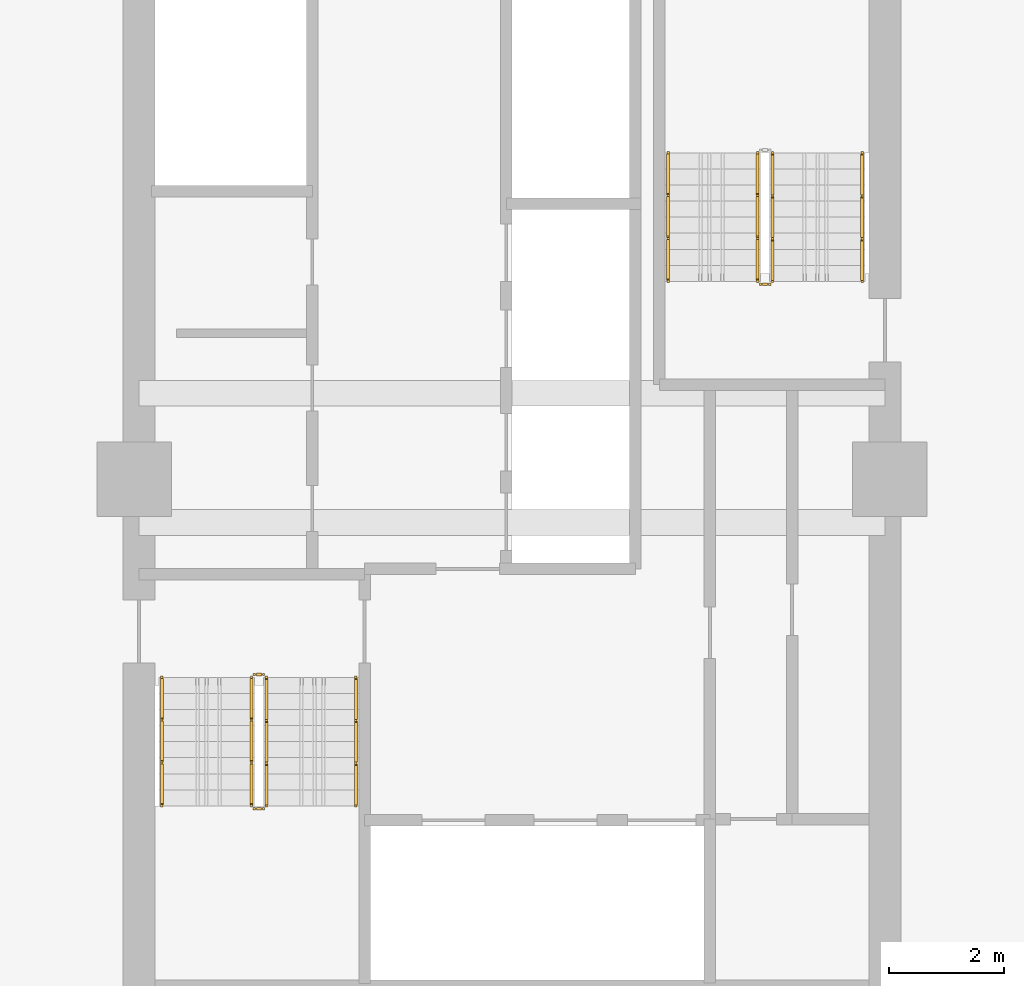
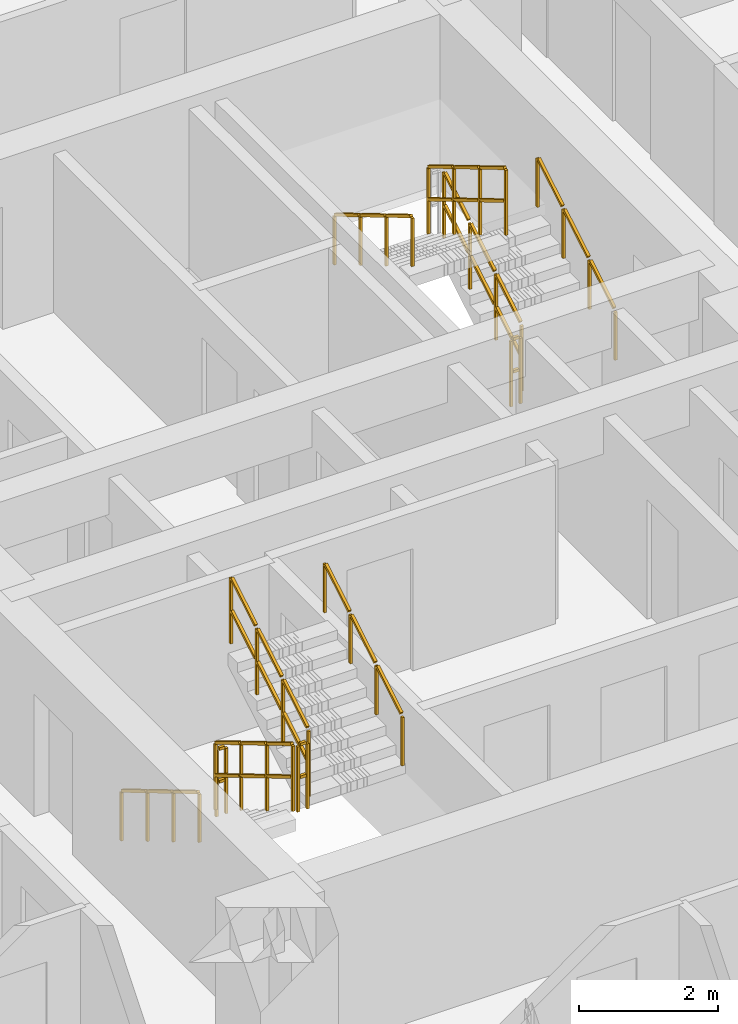
# One storey, part 22 of 24: 11 railings.
"""IFC4 building model written with IfcOpenShell, lengths in metres."""

import ifcopenshell
import ifcopenshell.guid

model = None  # the IFC model being written
_history = None  # IfcOwnerHistory: only IFC2X3 demands one
_inside = {}  # id of a spatial element -> (the spatial element, [elements in it])
_under = {}  # id of a project, library or spatial element -> (it, [spatial elements below it])
_declared = {}  # id of a project -> (the project, [libraries it declares])
_typed = {}  # id of a type object -> (the type object, [elements of that type])
_made_of = {}  # id of a material, layer set ... -> (it, [elements and type objects made of it])


def new_model(schema):
    """Start an empty IFC model of exactly this schema.

    Asked for "IFC4X3", IfcOpenShell would pick the latest addendum, in which some entities
    have other attributes; the version numbers below select the first issue.
    IFC2X3 requires an IfcOwnerHistory on every rooted entity: one is made here for all.
    """
    global model, _history
    if schema == "IFC4X3":
        model = ifcopenshell.file(schema_version=(4, 3, 0, 0))
    else:
        model = ifcopenshell.file(schema=schema)
    _inside.clear()
    _under.clear()
    _declared.clear()
    _typed.clear()
    _made_of.clear()
    _history = None
    if model.schema == "IFC2X3":
        org = make("IfcOrganization", Name="unknown")
        user = make(
            "IfcPersonAndOrganization",
            ThePerson=make("IfcPerson", FamilyName="unknown"),
            TheOrganization=org,
        )
        app = make(
            "IfcApplication",
            ApplicationDeveloper=org,
            Version="unknown",
            ApplicationFullName="unknown",
            ApplicationIdentifier="unknown",
        )
        _history = make(
            "IfcOwnerHistory",
            OwningUser=user,
            OwningApplication=app,
            ChangeAction="ADDED",
            CreationDate=0,
        )
    return model


def make(cls, **values):
    """One entity of the class cls with the attributes given. An attribute that is None is left unset."""
    return model.create_entity(
        cls, **{name: value for name, value in values.items() if value is not None}
    )


def rooted(cls, **values):
    """An entity with a GlobalId (a new one), such as an element, a storey or a relation."""
    return make(cls, GlobalId=ifcopenshell.guid.new(), OwnerHistory=_history, **values)


def si_unit(unit_type, name, prefix=None):
    """IfcSIUnit, for example si_unit("LENGTHUNIT", "METRE", prefix="MILLI")."""
    return make("IfcSIUnit", UnitType=unit_type, Prefix=prefix, Name=name)


def assignment(units):
    """IfcUnitAssignment: the units of a project."""
    return None if units is None else make("IfcUnitAssignment", Units=units)


def point(xyz):
    """IfcCartesianPoint."""
    return None if xyz is None else make("IfcCartesianPoint", Coordinates=xyz)


def direction(xyz):
    """IfcDirection."""
    return None if xyz is None else make("IfcDirection", DirectionRatios=xyz)


def frame(location, z_axis=None, x_axis=None):
    """IfcAxis2Placement3D, a coordinate frame: its origin and axes. An axis left out is left unset."""
    return make(
        "IfcAxis2Placement3D",
        Location=point(location),
        Axis=direction(z_axis),
        RefDirection=direction(x_axis),
    )


def frame_2d(location, x_axis=None):
    """IfcAxis2Placement2D, a coordinate frame in the plane: its origin and x axis."""
    return make(
        "IfcAxis2Placement2D", Location=point(location), RefDirection=direction(x_axis)
    )


def origin():
    """The frame at (0, 0, 0) with its axes left unset."""
    return frame((0.0, 0.0, 0.0))


def origin_2d():
    """The frame at (0, 0) in the plane with its x axis left unset."""
    return frame_2d((0.0, 0.0))


def place(relative_to, where):
    """IfcLocalPlacement: puts the frame where relative to a parent placement (None: the world)."""
    return make(
        "IfcLocalPlacement", PlacementRelTo=relative_to, RelativePlacement=where
    )


def context(
    kind, dimensions, precision=None, world=None, true_north=None, identifier=None
):
    """IfcGeometricRepresentationContext, for example the 3D "Model" context."""
    return make(
        "IfcGeometricRepresentationContext",
        ContextIdentifier=identifier,
        ContextType=kind,
        CoordinateSpaceDimension=dimensions,
        Precision=precision,
        WorldCoordinateSystem=world,
        TrueNorth=true_north,
    )


def subcontext(parent, identifier, kind, view, scale=None):
    """IfcGeometricRepresentationSubContext, for example "Body" below "Model"."""
    return make(
        "IfcGeometricRepresentationSubContext",
        ContextIdentifier=identifier,
        ContextType=kind,
        ParentContext=parent,
        TargetScale=scale,
        TargetView=view,
    )


def project(units=None, contexts=None):
    """IfcProject with its units and contexts."""
    return rooted(
        "IfcProject",
        Name="project",
        RepresentationContexts=contexts,
        UnitsInContext=assignment(units),
    )


def spatial(cls, under=None, at=None, **own):
    """A site, building, storey or space (cls), placed at a placement, below another one or the project."""
    s = rooted(cls, ObjectPlacement=at, **own)
    if under is not None:
        _under.setdefault(under.id(), (under, []))[1].append(s)
    return s


def profile(cls, at=None, kind="AREA", **sizes):
    """A parametric profile (cls). Its sizes go by their IFC names, for example OverallWidth=200.0."""
    return make(cls, ProfileType=kind, Position=at, **sizes)


def rectangle(**sizes):
    """IfcRectangleProfileDef."""
    return profile("IfcRectangleProfileDef", **sizes)


def extrude(swept, where, along, depth):
    """IfcExtrudedAreaSolid: the profile swept, set in the frame where, extruded along a direction by depth."""
    return make(
        "IfcExtrudedAreaSolid",
        SweptArea=swept,
        Position=where,
        ExtrudedDirection=direction(along),
        Depth=depth,
    )


def shape(context_of_items, identifier, shape_type, items):
    """IfcShapeRepresentation: the items that make up one representation, for example the "Body"."""
    return make(
        "IfcShapeRepresentation",
        ContextOfItems=context_of_items,
        RepresentationIdentifier=identifier,
        RepresentationType=shape_type,
        Items=items,
    )


def material(Name=None, Category=None):
    """IfcMaterial."""
    return make("IfcMaterial", Name=Name, Category=Category)


def made_of(thing, what):
    """Note that an element or type object is made of a material, layer set ...; save() writes the relation."""
    if what is not None:
        _made_of.setdefault(what.id(), (what, []))[1].append(thing)
    return thing


def type_object(cls, material=None, **own):
    """A type object (cls), such as IfcWallType, which elements share."""
    return made_of(rooted(cls, **own), material)


def element(
    cls,
    number,
    at=None,
    inside=None,
    cuts=None,
    type_object=None,
    material=None,
    context=None,
    identifier="Body",
    shape_type=None,
    held_by="IfcProductDefinitionShape",
    body=None,
    shapes=None,
    **own,
):
    """One element of the class cls, such as IfcWall. Its Tag is "e" and its number.

    at: its placement. inside: the storey or other place that contains it. cuts: it is an
    opening in that element (IfcRelVoidsElement). A single representation is given by context,
    identifier, shape_type and body (its items); several are given by shapes. held_by: the class
    of the entity that holds the representations. save() writes the other relations.
    """
    e = rooted(cls, Tag="e%d" % number, ObjectPlacement=at, **own)
    if body is not None:
        shapes = [shape(context, identifier, shape_type, body)]
    if shapes is not None:
        e.Representation = make(held_by, Representations=shapes)
    if inside is not None:
        _inside.setdefault(inside.id(), (inside, []))[1].append(e)
    if cuts is not None:
        rooted(
            "IfcRelVoidsElement", RelatingBuildingElement=cuts, RelatedOpeningElement=e
        )
    if type_object is not None:
        _typed.setdefault(type_object.id(), (type_object, []))[1].append(e)
    return made_of(e, material)


def aggregate(whole, parts):
    """IfcRelAggregates: a whole, such as a stair, and the parts it consists of."""
    return rooted("IfcRelAggregates", RelatingObject=whole, RelatedObjects=parts)


def save(model, path):
    """Write the relations noted so far, then the file.

    IfcRelAggregates (storeys below a building ...), IfcRelContainedInSpatialStructure (elements
    in a storey), IfcRelDefinesByType, IfcRelAssociatesMaterial and IfcRelDeclares: one each for
    every whole, place, type object, material and project.
    """
    for whole, parts in _under.values():
        aggregate(whole, parts)
    for where, things in _inside.values():
        rooted(
            "IfcRelContainedInSpatialStructure",
            RelatedElements=things,
            RelatingStructure=where,
        )
    for kind, things in _typed.values():
        rooted("IfcRelDefinesByType", RelatedObjects=things, RelatingType=kind)
    for what, things in _made_of.values():
        rooted("IfcRelAssociatesMaterial", RelatedObjects=things, RelatingMaterial=what)
    for by, libraries in _declared.values():
        rooted("IfcRelDeclares", RelatingContext=by, RelatedDefinitions=libraries)
    model.write(path)


model = new_model("IFC4")

# Units and contexts
model_context = context("Model", 3, precision=1e-05, world=origin(), true_north=direction((0.0, 1.0)))
body_context = subcontext(model_context, "Body", "Model", "MODEL_VIEW")
ifc_project = project(units=[si_unit("LENGTHUNIT", "METRE"), si_unit("AREAUNIT", "SQUARE_METRE"), si_unit("VOLUMEUNIT", "CUBIC_METRE"), si_unit("PLANEANGLEUNIT", "RADIAN"), si_unit("MASSUNIT", "GRAM", prefix="KILO")], contexts=[model_context])

# Site, building, storey
site_placement = place(None, origin())
site = spatial("IfcSite", under=ifc_project, at=site_placement, CompositionType="ELEMENT")
building_placement = place(site_placement, origin())
building = spatial("IfcBuilding", under=site, at=building_placement, Name="Saelheon Loggia Tower", CompositionType="ELEMENT")
storey_placement = place(building_placement, frame((0.0, 0.0, 126.75)))
storey = spatial("IfcBuildingStorey", under=building, at=storey_placement, Name="L40", CompositionType="ELEMENT", Elevation=126.75)

# Railings
ifc_material_1 = material(Name="Galvanised Steel S275 Stairwell Guardrail", Category="steel")
railing_type_1 = type_object("IfcRailingType", Name="Guard_StairWell_RL_STG", PredefinedType="GUARDRAIL", material=ifc_material_1)
railing_1_placement = place(storey_placement, frame((33.4599609375, 23.550048828125, 0.166748046875)))
element("IfcRailing", 1, at=railing_1_placement, inside=storey, type_object=railing_type_1, Name="L40 ST1 stair guard 1", PredefinedType="GUARDRAIL", context=body_context, shape_type="SweptSolid", body=[
    extrude(rectangle(XDim=0.048095703125, YDim=0.048095703125, at=origin_2d()), frame((0.0, -0.028564453125, 1.19287109375), z_axis=(0.0, -0.859305625298, 0.511462454469), x_axis=(1.0, 0.0, 0.0)), (0.0, 0.0, 1.0), 0.802490234375),
    extrude(rectangle(XDim=0.048095703125, YDim=0.048095703125, at=origin_2d()), frame((0.0, -0.028564453125, 0.616943359375), z_axis=(0.0, -0.859305625298, 0.511462454469), x_axis=(1.0, 0.0, 0.0)), (0.0, 0.0, 1.0), 0.802490234375),
    extrude(rectangle(XDim=0.048095703125, YDim=0.048095703125, at=origin_2d()), frame((0.0, -0.775146484375, 1.63720703125), z_axis=(0.0, -0.859305625298, 0.511462454469), x_axis=(1.0, 0.0, 0.0)), (0.0, 0.0, 1.0), 0.802490234375),
    extrude(rectangle(XDim=0.048095703125, YDim=0.048095703125, at=origin_2d()), frame((0.0, -0.775146484375, 1.061279296875), z_axis=(0.0, -0.859305625298, 0.511462454469), x_axis=(1.0, 0.0, 0.0)), (0.0, 0.0, 1.0), 0.802490234375),
    extrude(rectangle(XDim=0.048095703125, YDim=0.048095703125, at=origin_2d()), frame((0.0, -1.52197265625, 2.081787109375), z_axis=(0.0, -0.859305625298, 0.511462454469), x_axis=(1.0, 0.0, 0.0)), (0.0, 0.0, 1.0), 0.802490234375),
    extrude(rectangle(XDim=0.048095703125, YDim=0.048095703125, at=origin_2d()), frame((0.0, -1.52197265625, 1.505859375), z_axis=(0.0, -0.859305625298, 0.511462454469), x_axis=(1.0, 0.0, 0.0)), (0.0, 0.0, 1.0), 0.802490234375),
    extrude(rectangle(XDim=0.0419921875, YDim=0.0419921875, at=origin_2d()), origin(), (0.0, 0.0, 1.0), 1.14794921875),
    extrude(rectangle(XDim=0.0419921875, YDim=0.0419921875, at=origin_2d()), frame((0.0, -0.74658203125, 0.4443359375)), (0.0, 0.0, 1.0), 1.14794921875),
    extrude(rectangle(XDim=0.0419921875, YDim=0.0419921875, at=origin_2d()), frame((0.0, -1.493408203125, 0.888916015625)), (0.0, 0.0, 1.0), 1.14794921875),
    extrude(rectangle(XDim=0.0419921875, YDim=0.0419921875, at=origin_2d()), frame((0.0, -2.239990234375, 1.333251953125)), (0.0, 0.0, 1.0), 1.14794921875),
])
railing_2_placement = place(storey_placement, frame((33.510009765625, 21.260009765625, 1.5)))
element("IfcRailing", 2, at=railing_2_placement, inside=storey, type_object=railing_type_1, Name="L40 ST1 stair guard 2", PredefinedType="GUARDRAIL", context=body_context, shape_type="SweptSolid", body=[
    extrude(rectangle(XDim=0.048095703125, YDim=0.048095703125, at=origin_2d()), frame((0.033203125, 0.0, 1.17578125), z_axis=(1.0, 0.0, 0.0), x_axis=(0.0, 1.0, 0.0)), (0.0, 0.0, 1.0), 0.093505859375),
    extrude(rectangle(XDim=0.048095703125, YDim=0.048095703125, at=origin_2d()), frame((0.033203125, 0.0, 0.60009765625), z_axis=(1.0, 0.0, 0.0), x_axis=(0.0, 1.0, 0.0)), (0.0, 0.0, 1.0), 0.093505859375),
    extrude(rectangle(XDim=0.0419921875, YDim=0.0419921875, at=origin_2d()), origin(), (0.0, 0.0, 1.0), 1.14794921875),
    extrude(rectangle(XDim=0.0419921875, YDim=0.0419921875, at=origin_2d()), frame((0.159912109375, 0.0, 0.0)), (0.0, 0.0, 1.0), 1.14794921875),
])
railing_3_placement = place(storey_placement, frame((33.719970703125, 21.31005859375, 1.666748046875)))
element("IfcRailing", 3, at=railing_3_placement, inside=storey, type_object=railing_type_1, Name="L40 ST1 stair guard 3", PredefinedType="GUARDRAIL", context=body_context, shape_type="SweptSolid", body=[
    extrude(rectangle(XDim=0.048095703125, YDim=0.048095703125, at=origin_2d()), frame((0.0, 0.028564453125, 1.19287109375), z_axis=(0.0, 0.859305625298, 0.511462454469), x_axis=(-1.0, 0.0, 0.0)), (0.0, 0.0, 1.0), 0.802490234375),
    extrude(rectangle(XDim=0.048095703125, YDim=0.048095703125, at=origin_2d()), frame((0.0, 0.028564453125, 0.616943359375), z_axis=(0.0, 0.859305625298, 0.511462454469), x_axis=(-1.0, 0.0, 0.0)), (0.0, 0.0, 1.0), 0.802490234375),
    extrude(rectangle(XDim=0.048095703125, YDim=0.048095703125, at=origin_2d()), frame((0.0, 0.775146484375, 1.63720703125), z_axis=(0.0, 0.859305625298, 0.511462454469), x_axis=(-1.0, 0.0, 0.0)), (0.0, 0.0, 1.0), 0.802490234375),
    extrude(rectangle(XDim=0.048095703125, YDim=0.048095703125, at=origin_2d()), frame((0.0, 0.775146484375, 1.061279296875), z_axis=(0.0, 0.859305625298, 0.511462454469), x_axis=(-1.0, 0.0, 0.0)), (0.0, 0.0, 1.0), 0.802490234375),
    extrude(rectangle(XDim=0.048095703125, YDim=0.048095703125, at=origin_2d()), frame((0.0, 1.52197265625, 2.081787109375), z_axis=(0.0, 0.859305625298, 0.511462454469), x_axis=(-1.0, 0.0, 0.0)), (0.0, 0.0, 1.0), 0.802490234375),
    extrude(rectangle(XDim=0.048095703125, YDim=0.048095703125, at=origin_2d()), frame((0.0, 1.52197265625, 1.505859375), z_axis=(0.0, 0.859305625298, 0.511462454469), x_axis=(-1.0, 0.0, 0.0)), (0.0, 0.0, 1.0), 0.802490234375),
    extrude(rectangle(XDim=0.0419921875, YDim=0.0419921875, at=origin_2d()), origin(), (0.0, 0.0, 1.0), 1.14794921875),
    extrude(rectangle(XDim=0.0419921875, YDim=0.0419921875, at=origin_2d()), frame((0.0, 0.74658203125, 0.4443359375)), (0.0, 0.0, 1.0), 1.14794921875),
    extrude(rectangle(XDim=0.0419921875, YDim=0.0419921875, at=origin_2d()), frame((0.0, 1.493408203125, 0.888916015625)), (0.0, 0.0, 1.0), 1.14794921875),
    extrude(rectangle(XDim=0.0419921875, YDim=0.0419921875, at=origin_2d()), frame((0.0, 2.239990234375, 1.333251953125)), (0.0, 0.0, 1.0), 1.14794921875),
])
railing_4_placement = place(storey_placement, frame((33.510009765625, 23.60009765625, 0.0)))
element("IfcRailing", 4, at=railing_4_placement, inside=storey, type_object=railing_type_1, Name="L40 ST1 stair guard 4", PredefinedType="GUARDRAIL", context=body_context, shape_type="SweptSolid", body=[
    extrude(rectangle(XDim=0.048095703125, YDim=0.048095703125, at=origin_2d()), frame((0.033203125, 0.0, 1.17578125), z_axis=(1.0, 0.0, 0.0), x_axis=(0.0, 1.0, 0.0)), (0.0, 0.0, 1.0), 0.093505859375),
    extrude(rectangle(XDim=0.048095703125, YDim=0.048095703125, at=origin_2d()), frame((0.033203125, 0.0, 0.60009765625), z_axis=(1.0, 0.0, 0.0), x_axis=(0.0, 1.0, 0.0)), (0.0, 0.0, 1.0), 0.093505859375),
    extrude(rectangle(XDim=0.0419921875, YDim=0.0419921875, at=origin_2d()), origin(), (0.0, 0.0, 1.0), 1.14794921875),
    extrude(rectangle(XDim=0.0419921875, YDim=0.0419921875, at=origin_2d()), frame((0.159912109375, 0.0, 0.0)), (0.0, 0.0, 1.0), 1.14794921875),
])
railing_5_placement = place(storey_placement, frame((42.5400390625, 30.449951171875, 0.166748046875)))
element("IfcRailing", 5, at=railing_5_placement, inside=storey, type_object=railing_type_1, Name="L40 ST2 stair guard 1", PredefinedType="GUARDRAIL", context=body_context, shape_type="SweptSolid", body=[
    extrude(rectangle(XDim=0.048095703125, YDim=0.048095703125, at=origin_2d()), frame((0.0, 0.028564453125, 1.19287109375), z_axis=(0.0, 0.859305625298, 0.511462454469), x_axis=(-1.0, 0.0, 0.0)), (0.0, 0.0, 1.0), 0.802490234375),
    extrude(rectangle(XDim=0.048095703125, YDim=0.048095703125, at=origin_2d()), frame((0.0, 0.028564453125, 0.616943359375), z_axis=(0.0, 0.859305625298, 0.511462454469), x_axis=(-1.0, 0.0, 0.0)), (0.0, 0.0, 1.0), 0.802490234375),
    extrude(rectangle(XDim=0.048095703125, YDim=0.048095703125, at=origin_2d()), frame((0.0, 0.775146484375, 1.63720703125), z_axis=(0.0, 0.859305625298, 0.511462454469), x_axis=(-1.0, 0.0, 0.0)), (0.0, 0.0, 1.0), 0.802490234375),
    extrude(rectangle(XDim=0.048095703125, YDim=0.048095703125, at=origin_2d()), frame((0.0, 0.775146484375, 1.061279296875), z_axis=(0.0, 0.859305625298, 0.511462454469), x_axis=(-1.0, 0.0, 0.0)), (0.0, 0.0, 1.0), 0.802490234375),
    extrude(rectangle(XDim=0.048095703125, YDim=0.048095703125, at=origin_2d()), frame((0.0, 1.52197265625, 2.081787109375), z_axis=(0.0, 0.859305625298, 0.511462454469), x_axis=(-1.0, 0.0, 0.0)), (0.0, 0.0, 1.0), 0.802490234375),
    extrude(rectangle(XDim=0.048095703125, YDim=0.048095703125, at=origin_2d()), frame((0.0, 1.52197265625, 1.505859375), z_axis=(0.0, 0.859305625298, 0.511462454469), x_axis=(-1.0, 0.0, 0.0)), (0.0, 0.0, 1.0), 0.802490234375),
    extrude(rectangle(XDim=0.0419921875, YDim=0.0419921875, at=origin_2d()), origin(), (0.0, 0.0, 1.0), 1.14794921875),
    extrude(rectangle(XDim=0.0419921875, YDim=0.0419921875, at=origin_2d()), frame((0.0, 0.74658203125, 0.4443359375)), (0.0, 0.0, 1.0), 1.14794921875),
    extrude(rectangle(XDim=0.0419921875, YDim=0.0419921875, at=origin_2d()), frame((0.0, 1.493408203125, 0.888916015625)), (0.0, 0.0, 1.0), 1.14794921875),
    extrude(rectangle(XDim=0.0419921875, YDim=0.0419921875, at=origin_2d()), frame((0.0, 2.239990234375, 1.333251953125)), (0.0, 0.0, 1.0), 1.14794921875),
])
railing_6_placement = place(storey_placement, frame((42.280029296875, 32.68994140625, 1.666748046875)))
element("IfcRailing", 6, at=railing_6_placement, inside=storey, type_object=railing_type_1, Name="L40 ST2 stair guard 3", PredefinedType="GUARDRAIL", context=body_context, shape_type="SweptSolid", body=[
    extrude(rectangle(XDim=0.048095703125, YDim=0.048095703125, at=origin_2d()), frame((0.0, -0.028564453125, 1.19287109375), z_axis=(0.0, -0.859305625298, 0.511462454469), x_axis=(1.0, 0.0, 0.0)), (0.0, 0.0, 1.0), 0.802490234375),
    extrude(rectangle(XDim=0.048095703125, YDim=0.048095703125, at=origin_2d()), frame((0.0, -0.028564453125, 0.616943359375), z_axis=(0.0, -0.859305625298, 0.511462454469), x_axis=(1.0, 0.0, 0.0)), (0.0, 0.0, 1.0), 0.802490234375),
    extrude(rectangle(XDim=0.048095703125, YDim=0.048095703125, at=origin_2d()), frame((0.0, -0.775146484375, 1.63720703125), z_axis=(0.0, -0.859305625298, 0.511462454469), x_axis=(1.0, 0.0, 0.0)), (0.0, 0.0, 1.0), 0.802490234375),
    extrude(rectangle(XDim=0.048095703125, YDim=0.048095703125, at=origin_2d()), frame((0.0, -0.775146484375, 1.061279296875), z_axis=(0.0, -0.859305625298, 0.511462454469), x_axis=(1.0, 0.0, 0.0)), (0.0, 0.0, 1.0), 0.802490234375),
    extrude(rectangle(XDim=0.048095703125, YDim=0.048095703125, at=origin_2d()), frame((0.0, -1.52197265625, 2.081787109375), z_axis=(0.0, -0.859305625298, 0.511462454469), x_axis=(1.0, 0.0, 0.0)), (0.0, 0.0, 1.0), 0.802490234375),
    extrude(rectangle(XDim=0.048095703125, YDim=0.048095703125, at=origin_2d()), frame((0.0, -1.52197265625, 1.505859375), z_axis=(0.0, -0.859305625298, 0.511462454469), x_axis=(1.0, 0.0, 0.0)), (0.0, 0.0, 1.0), 0.802490234375),
    extrude(rectangle(XDim=0.0419921875, YDim=0.0419921875, at=origin_2d()), origin(), (0.0, 0.0, 1.0), 1.14794921875),
    extrude(rectangle(XDim=0.0419921875, YDim=0.0419921875, at=origin_2d()), frame((0.0, -0.74658203125, 0.4443359375)), (0.0, 0.0, 1.0), 1.14794921875),
    extrude(rectangle(XDim=0.0419921875, YDim=0.0419921875, at=origin_2d()), frame((0.0, -1.493408203125, 0.888916015625)), (0.0, 0.0, 1.0), 1.14794921875),
    extrude(rectangle(XDim=0.0419921875, YDim=0.0419921875, at=origin_2d()), frame((0.0, -2.239990234375, 1.333251953125)), (0.0, 0.0, 1.0), 1.14794921875),
])
railing_7_placement = place(storey_placement, frame((42.489990234375, 30.39990234375, 0.0)))
element("IfcRailing", 7, at=railing_7_placement, inside=storey, type_object=railing_type_1, Name="L40 ST2 stair guard 4", PredefinedType="GUARDRAIL", context=body_context, shape_type="SweptSolid", body=[
    extrude(rectangle(XDim=0.048095703125, YDim=0.048095703125, at=origin_2d()), frame((-0.033203125, 0.0, 1.17578125), z_axis=(-1.0, 0.0, 0.0), x_axis=(0.0, -1.0, 0.0)), (0.0, 0.0, 1.0), 0.093505859375),
    extrude(rectangle(XDim=0.048095703125, YDim=0.048095703125, at=origin_2d()), frame((-0.033203125, 0.0, 0.60009765625), z_axis=(-1.0, 0.0, 0.0), x_axis=(0.0, -1.0, 0.0)), (0.0, 0.0, 1.0), 0.093505859375),
    extrude(rectangle(XDim=0.0419921875, YDim=0.0419921875, at=origin_2d()), origin(), (0.0, 0.0, 1.0), 1.14794921875),
    extrude(rectangle(XDim=0.0419921875, YDim=0.0419921875, at=origin_2d()), frame((-0.159912109375, 0.0, 0.0)), (0.0, 0.0, 1.0), 1.14794921875),
])
ifc_material_2 = material(Name="Stainless Steel 304 Tubular Handrail", Category="steel")
railing_type_2 = type_object("IfcRailingType", Name="Handrail_Stair_RL_HR1", PredefinedType="HANDRAIL", material=ifc_material_2)
railing_8_placement = place(storey_placement, frame((31.89990234375, 23.550048828125, 0.166748046875)))
element("IfcRailing", 8, at=railing_8_placement, inside=storey, type_object=railing_type_2, Name="L40 ST1 stair handrail 1", PredefinedType="HANDRAIL", context=body_context, shape_type="SweptSolid", body=[
    extrude(rectangle(XDim=0.048095703125, YDim=0.048095703125, at=origin_2d()), frame((0.0, -0.028564453125, 0.892822265625), z_axis=(0.0, -0.859305625298, 0.511462454469), x_axis=(1.0, 0.0, 0.0)), (0.0, 0.0, 1.0), 0.802490234375),
    extrude(rectangle(XDim=0.048095703125, YDim=0.048095703125, at=origin_2d()), frame((0.0, -0.775146484375, 1.337158203125), z_axis=(0.0, -0.859305625298, 0.511462454469), x_axis=(1.0, 0.0, 0.0)), (0.0, 0.0, 1.0), 0.802490234375),
    extrude(rectangle(XDim=0.048095703125, YDim=0.048095703125, at=origin_2d()), frame((0.0, -1.52197265625, 1.78173828125), z_axis=(0.0, -0.859305625298, 0.511462454469), x_axis=(1.0, 0.0, 0.0)), (0.0, 0.0, 1.0), 0.802490234375),
    extrude(rectangle(XDim=0.0419921875, YDim=0.0419921875, at=origin_2d()), origin(), (0.0, 0.0, 1.0), 0.847900390625),
    extrude(rectangle(XDim=0.0419921875, YDim=0.0419921875, at=origin_2d()), frame((0.0, -0.74658203125, 0.4443359375)), (0.0, 0.0, 1.0), 0.847900390625),
    extrude(rectangle(XDim=0.0419921875, YDim=0.0419921875, at=origin_2d()), frame((0.0, -1.493408203125, 0.888916015625)), (0.0, 0.0, 1.0), 0.847900390625),
    extrude(rectangle(XDim=0.0419921875, YDim=0.0419921875, at=origin_2d()), frame((0.0, -2.239990234375, 1.333251953125)), (0.0, 0.0, 1.0), 0.847900390625),
])
for number, where, name in (
    (9, (35.280029296875, 21.31005859375, 1.666748046875), "L40 ST1 stair handrail 2"),
    (10, (44.10009765625, 30.449951171875, 0.166748046875), "L40 ST2 stair handrail 1"),
):
    element("IfcRailing", number, at=place(storey_placement, frame(where)), inside=storey, type_object=railing_type_2, Name=name, PredefinedType="HANDRAIL", context=body_context, shape_type="SweptSolid", body=[
        extrude(rectangle(XDim=0.048095703125, YDim=0.048095703125, at=origin_2d()), frame((0.0, 0.028564453125, 0.892822265625), z_axis=(0.0, 0.859305625298, 0.511462454469), x_axis=(-1.0, 0.0, 0.0)), (0.0, 0.0, 1.0), 0.802490234375),
        extrude(rectangle(XDim=0.048095703125, YDim=0.048095703125, at=origin_2d()), frame((0.0, 0.775146484375, 1.337158203125), z_axis=(0.0, 0.859305625298, 0.511462454469), x_axis=(-1.0, 0.0, 0.0)), (0.0, 0.0, 1.0), 0.802490234375),
        extrude(rectangle(XDim=0.048095703125, YDim=0.048095703125, at=origin_2d()), frame((0.0, 1.52197265625, 1.78173828125), z_axis=(0.0, 0.859305625298, 0.511462454469), x_axis=(-1.0, 0.0, 0.0)), (0.0, 0.0, 1.0), 0.802490234375),
        extrude(rectangle(XDim=0.0419921875, YDim=0.0419921875, at=origin_2d()), origin(), (0.0, 0.0, 1.0), 0.847900390625),
        extrude(rectangle(XDim=0.0419921875, YDim=0.0419921875, at=origin_2d()), frame((0.0, 0.74658203125, 0.4443359375)), (0.0, 0.0, 1.0), 0.847900390625),
        extrude(rectangle(XDim=0.0419921875, YDim=0.0419921875, at=origin_2d()), frame((0.0, 1.493408203125, 0.888916015625)), (0.0, 0.0, 1.0), 0.847900390625),
        extrude(rectangle(XDim=0.0419921875, YDim=0.0419921875, at=origin_2d()), frame((0.0, 2.239990234375, 1.333251953125)), (0.0, 0.0, 1.0), 0.847900390625),
    ])
railing_9_placement = place(storey_placement, frame((40.719970703125, 32.68994140625, 1.666748046875)))
element("IfcRailing", 11, at=railing_9_placement, inside=storey, type_object=railing_type_2, Name="L40 ST2 stair handrail 2", PredefinedType="HANDRAIL", context=body_context, shape_type="SweptSolid", body=[
    extrude(rectangle(XDim=0.048095703125, YDim=0.048095703125, at=origin_2d()), frame((0.0, -0.028564453125, 0.892822265625), z_axis=(0.0, -0.859305625298, 0.511462454469), x_axis=(1.0, 0.0, 0.0)), (0.0, 0.0, 1.0), 0.802490234375),
    extrude(rectangle(XDim=0.048095703125, YDim=0.048095703125, at=origin_2d()), frame((0.0, -0.775146484375, 1.337158203125), z_axis=(0.0, -0.859305625298, 0.511462454469), x_axis=(1.0, 0.0, 0.0)), (0.0, 0.0, 1.0), 0.802490234375),
    extrude(rectangle(XDim=0.048095703125, YDim=0.048095703125, at=origin_2d()), frame((0.0, -1.52197265625, 1.78173828125), z_axis=(0.0, -0.859305625298, 0.511462454469), x_axis=(1.0, 0.0, 0.0)), (0.0, 0.0, 1.0), 0.802490234375),
    extrude(rectangle(XDim=0.0419921875, YDim=0.0419921875, at=origin_2d()), origin(), (0.0, 0.0, 1.0), 0.847900390625),
    extrude(rectangle(XDim=0.0419921875, YDim=0.0419921875, at=origin_2d()), frame((0.0, -0.74658203125, 0.4443359375)), (0.0, 0.0, 1.0), 0.847900390625),
    extrude(rectangle(XDim=0.0419921875, YDim=0.0419921875, at=origin_2d()), frame((0.0, -1.493408203125, 0.888916015625)), (0.0, 0.0, 1.0), 0.847900390625),
    extrude(rectangle(XDim=0.0419921875, YDim=0.0419921875, at=origin_2d()), frame((0.0, -2.239990234375, 1.333251953125)), (0.0, 0.0, 1.0), 0.847900390625),
])

save(model, "model.ifc")
